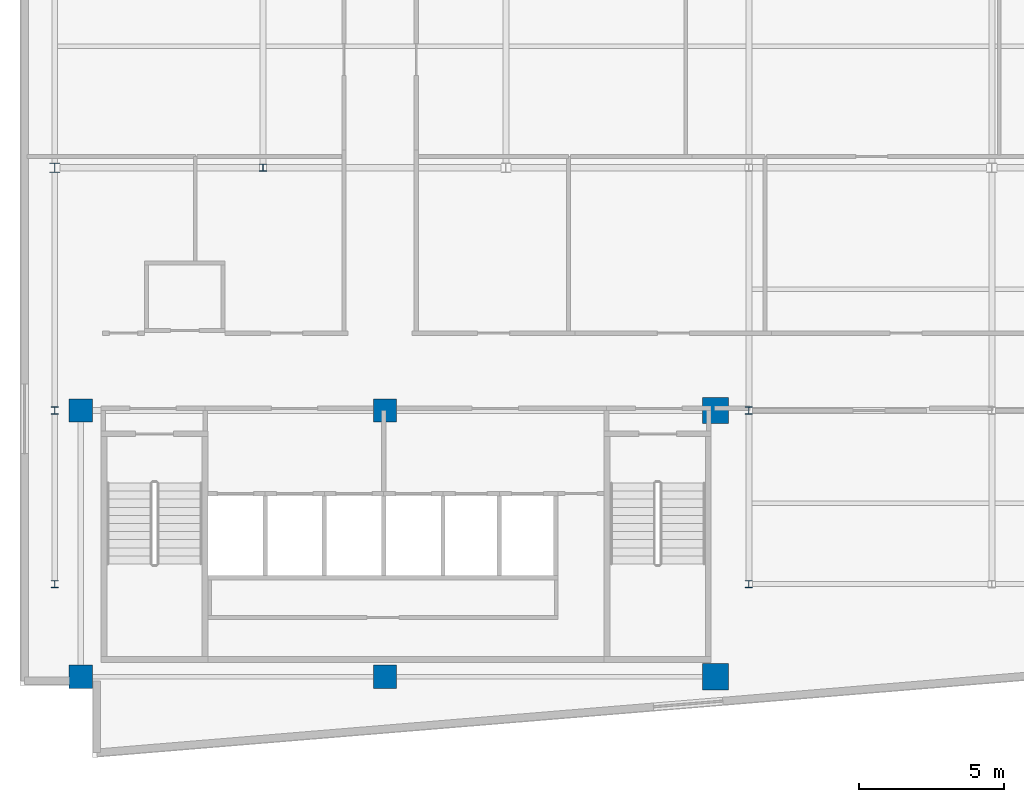
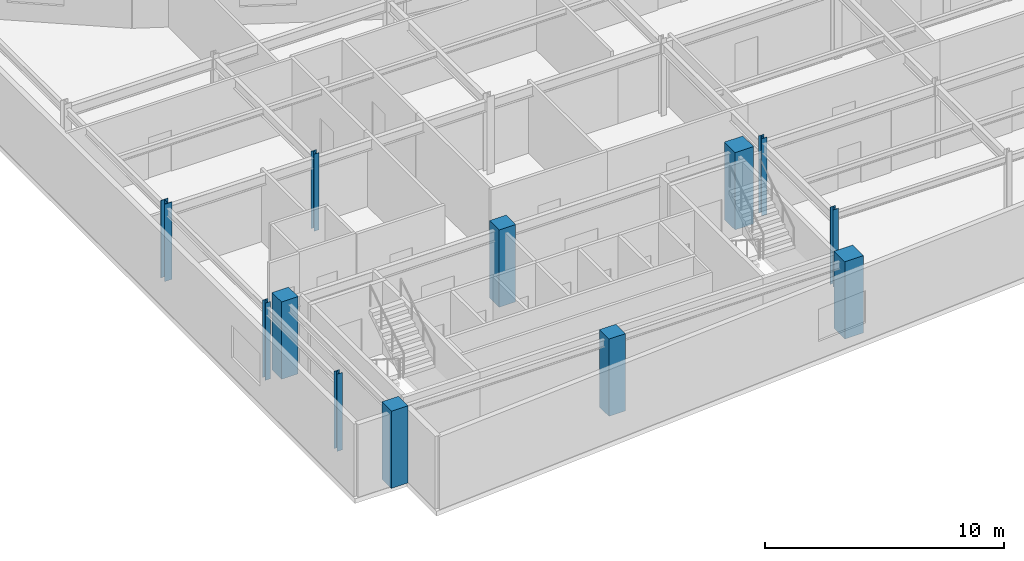
# One storey, part 1 of 15: 12 columns.
"""IFC4 building model written with IfcOpenShell, lengths in metres."""

from ifc_helpers import new_model, si_unit, direction, frame, origin, origin_2d, place, context, subcontext, project, spatial, rectangle, i_section, extrude, material, material_profile, profile_set, type_object, element, save


model = new_model("IFC4")

# Units and contexts
model_context = context("Model", 3, precision=1e-05, world=origin(), true_north=direction((0.0, 1.0)))
body_context = subcontext(model_context, "Body", "Model", "MODEL_VIEW")
ifc_project = project(units=[si_unit("LENGTHUNIT", "METRE"), si_unit("AREAUNIT", "SQUARE_METRE"), si_unit("VOLUMEUNIT", "CUBIC_METRE"), si_unit("PLANEANGLEUNIT", "RADIAN"), si_unit("MASSUNIT", "GRAM", prefix="KILO")], contexts=[model_context])

# Site, building, storey
site_placement = place(None, origin())
site = spatial("IfcSite", under=ifc_project, at=site_placement, CompositionType="ELEMENT")
building_placement = place(site_placement, origin())
building = spatial("IfcBuilding", under=site, at=building_placement, Name="Varnakote Quay Hospital", CompositionType="ELEMENT")
storey_placement = place(building_placement, frame((0.0, 0.0, 248.64990234375)))
storey = spatial("IfcBuildingStorey", under=building, at=storey_placement, Name="L61", CompositionType="ELEMENT", Elevation=248.64990234375)

# Columns
ifc_material_1 = material(Name="Concrete N50 (f'c 50 MPa)", Category="concrete")
ifc_material_profile_1 = material_profile(ifc_material_1, rectangle(XDim=0.800048828125, YDim=0.800048828125, at=origin_2d()), Name="RC-COL-800x800")
ifc_profile_set_1 = profile_set([ifc_material_profile_1], Name="Concrete N50 (f'c 50 MPa)")
column_type_1 = type_object("IfcColumnType", Name="COL-RC-800", PredefinedType="COLUMN", material=ifc_profile_set_1)
for number, where, z_axis, x_axis, name in (
    (1, (2.10009765625, 2.800048828125, 0.0), (0.0, 0.0, 1.0), (1.0, 0.0, 0.0), "L61 Structural Column C-2-3"),
    (2, (12.6201171875, 2.800048828125, 0.0), (0.0, 0.0, 1.0), (1.0, 0.0, 0.0), "L61 Structural Column C-13-3"),
    (3, (2.10009765625, 12.0, 0.0), (0.0, 0.0, 1.0), (1.0, 0.0, 0.0), "L61 Structural Column C-2-12"),
    (4, (12.6201171875, 12.0, 0.0), (0.0, 0.0, 1.0), (1.0, 0.0, 0.0), "L61 Structural Column C-13-12"),
):
    element("IfcColumn", number, at=place(storey_placement, frame(where, z_axis=z_axis, x_axis=x_axis)), inside=storey, type_object=column_type_1, Name=name, PredefinedType="COLUMN", context=body_context, shape_type="SweptSolid", body=[
        extrude(rectangle(XDim=0.800048828125, YDim=0.800048828125, at=origin_2d()), origin(), (0.0, 0.0, 1.0), 3.9501953125),
    ])
ifc_material_2 = material(Name="Concrete N50 (f'c 50 MPa)", Category="concrete")
ifc_material_profile_2 = material_profile(ifc_material_2, rectangle(XDim=0.89990234375, YDim=0.89990234375, at=origin_2d()), Name="RC-COL-900x900")
ifc_profile_set_2 = profile_set([ifc_material_profile_2], Name="Concrete N50 (f'c 50 MPa)")
column_type_2 = type_object("IfcColumnType", Name="COL-RC-900", PredefinedType="COLUMN", material=ifc_profile_set_2)
for number, where, z_axis, x_axis, name in (
    (5, (24.050048828125, 2.800048828125, 0.0), (0.0, 0.0, 1.0), (1.0, 0.0, 0.0), "L61 Structural Column C-24-3"),
    (6, (24.050048828125, 12.0, 0.0), (0.0, 0.0, 1.0), (1.0, 0.0, 0.0), "L61 Structural Column C-24-12"),
):
    element("IfcColumn", number, at=place(storey_placement, frame(where, z_axis=z_axis, x_axis=x_axis)), inside=storey, type_object=column_type_2, Name=name, PredefinedType="COLUMN", context=body_context, shape_type="SweptSolid", body=[
        extrude(rectangle(XDim=0.89990234375, YDim=0.89990234375, at=origin_2d()), origin(), (0.0, 0.0, 1.0), 3.9501953125),
    ])
ifc_material_3 = material(Name="Structural steel AS/NZS 3679.1 Grade 350 L0 (fy 340 MPa)", Category="steel")
ifc_material_profile_3 = material_profile(ifc_material_3, i_section(OverallWidth=0.25390625, OverallDepth=0.25390625, WebThickness=0.008544921875, FlangeThickness=0.01416015625, FilletRadius=0.0126953125, at=origin_2d()), Name="250UC72.9")
ifc_profile_set_3 = profile_set([ifc_material_profile_3], Name="Structural steel AS/NZS 3679.1 Grade 350 L0 (fy 340 MPa)")
column_type_3 = type_object("IfcColumnType", Name="COL-STL-250UC72-9", PredefinedType="COLUMN", material=ifc_profile_set_3)
for number, where, z_axis, x_axis, name in (
    (7, (1.199951171875, 6.0, 0.0), (0.0, 0.0, 1.0), (1.0, 0.0, 0.0), "L61 Structural Column C-1-6"),
    (8, (25.199951171875, 6.0, 0.0), (0.0, 0.0, 1.0), (1.0, 0.0, 0.0), "L61 Structural Column C-25-6"),
    (9, (1.199951171875, 12.0, 0.0), (0.0, 0.0, 1.0), (1.0, 0.0, 0.0), "L61 Structural Column C-1-12"),
    (10, (25.199951171875, 12.0, 0.0), (0.0, 0.0, 1.0), (1.0, 0.0, 0.0), "L61 Structural Column C-25-12"),
    (11, (8.39990234375, 20.39990234375, 0.0), (0.0, 0.0, 1.0), (1.0, 0.0, 0.0), "L61 Structural Column C-8-20"),
):
    element("IfcColumn", number, at=place(storey_placement, frame(where, z_axis=z_axis, x_axis=x_axis)), inside=storey, type_object=column_type_3, Name=name, PredefinedType="COLUMN", context=body_context, shape_type="SweptSolid", body=[
        extrude(i_section(OverallWidth=0.25390625, OverallDepth=0.25390625, WebThickness=0.008544921875, FlangeThickness=0.01416015625, FilletRadius=0.0126953125, at=origin_2d()), origin(), (0.0, 0.0, 1.0), 3.9501953125),
    ])
ifc_material_4 = material(Name="Structural steel AS/NZS 3678 Grade 350 (fy 340 MPa)", Category="steel")
ifc_material_profile_4 = material_profile(ifc_material_4, i_section(OverallWidth=0.35009765625, OverallDepth=0.340087890625, WebThickness=0.01611328125, FlangeThickness=0.028076171875, at=origin_2d()), Name="350WC197")
ifc_profile_set_4 = profile_set([ifc_material_profile_4], Name="Structural steel AS/NZS 3678 Grade 350 (fy 340 MPa)")
column_type_4 = type_object("IfcColumnType", Name="COL-STL-350WC197", PredefinedType="COLUMN", material=ifc_profile_set_4)
column_placement = place(storey_placement, frame((1.199951171875, 20.39990234375, 0.0), z_axis=(0.0, 0.0, 1.0), x_axis=(1.0, 0.0, 0.0)))
element("IfcColumn", 12, at=column_placement, inside=storey, type_object=column_type_4, Name="L61 Structural Column C-1-20", PredefinedType="COLUMN", context=body_context, shape_type="SweptSolid", body=[
    extrude(i_section(OverallWidth=0.35009765625, OverallDepth=0.340087890625, WebThickness=0.01611328125, FlangeThickness=0.028076171875, at=origin_2d()), origin(), (0.0, 0.0, 1.0), 3.9501953125),
])

save(model, "model.ifc")
